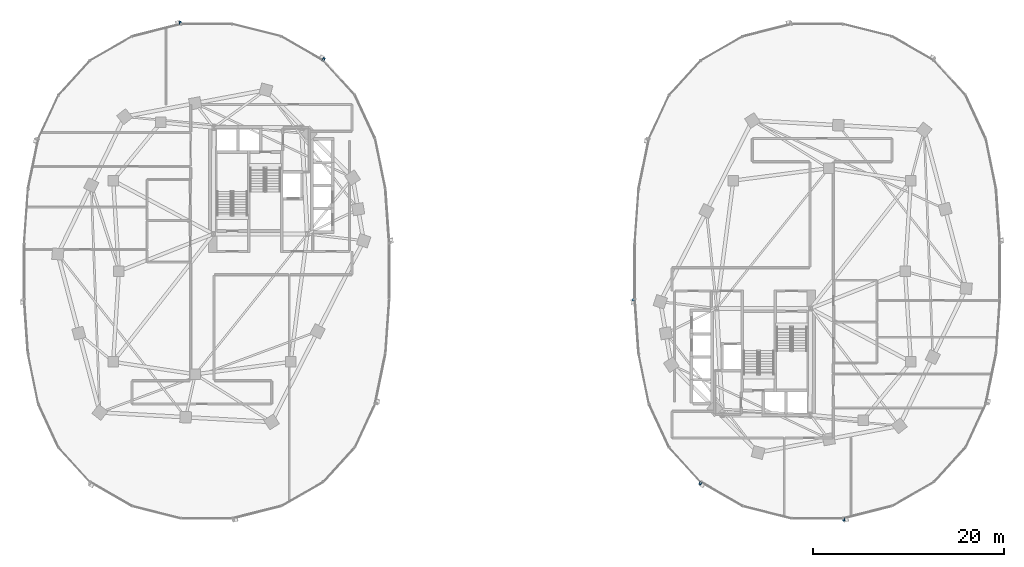
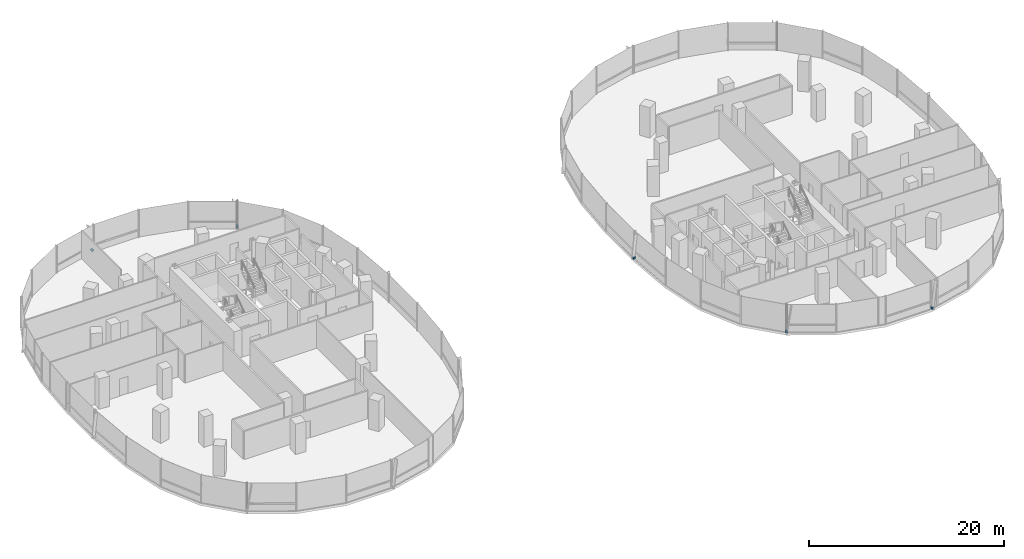
# One storey, part 15 of 21: 5 discrete accessories.
"""IFC4 building model written with IfcOpenShell, lengths in metres."""

from ifc_helpers import new_model, si_unit, direction, frame, origin, origin_2d, place, context, subcontext, project, spatial, rectangle, extrude, material, type_object, element, save


model = new_model("IFC4")

# Units and contexts
model_context = context("Model", 3, precision=1e-05, world=origin(), true_north=direction((0.0, 1.0)))
body_context = subcontext(model_context, "Body", "Model", "MODEL_VIEW")
ifc_project = project(units=[si_unit("LENGTHUNIT", "METRE"), si_unit("AREAUNIT", "SQUARE_METRE"), si_unit("VOLUMEUNIT", "CUBIC_METRE"), si_unit("PLANEANGLEUNIT", "RADIAN"), si_unit("MASSUNIT", "GRAM", prefix="KILO"), si_unit("THERMODYNAMICTEMPERATUREUNIT", "KELVIN"), si_unit("POWERUNIT", "WATT")], contexts=[model_context])

# Site, building, storey
site_placement = place(None, origin())
site = spatial("IfcSite", under=ifc_project, at=site_placement, CompositionType="ELEMENT")
building_placement = place(site_placement, origin())
building = spatial("IfcBuilding", under=site, at=building_placement, Name="Cundina Bronze Exchange", CompositionType="ELEMENT")
storey_placement = place(building_placement, frame((0.0, 0.0, 31.60009765625)))
storey = spatial("IfcBuildingStorey", under=building, at=storey_placement, Name="L07", CompositionType="ELEMENT", Elevation=31.60009765625)

# Discrete accessories
ifc_material = material(Name="Anodised Bronze Aluminium 6063-T6", Category="aluminium")
discrete_accessory_type = type_object("IfcDiscreteAccessoryType", Name="ACC-BRK-FIN", PredefinedType="BRACKET", material=ifc_material)
for number, where, z_axis, x_axis, name in (
    (1, (-19.740478515625, 22.21875, 0.10009765625), (0.0, 0.0, 1.0), (-0.867105478933, 0.498124571171, 0.0), "L07 Fin Support Bracket 5"),
    (2, (-34.76025390625, 26.03173828125, 0.10009765625), (0.0, 0.0, 1.0), (-0.969488149345, -0.245138182011, 0.0), "L07 Fin Support Bracket 1"),
    (3, (12.735595703125, -2.986083984375, 0.10009765625), (0.0, 0.0, 1.0), (0.070278787473, -0.997527389113, 0.0), "L07 Fin Support Bracket 1"),
    (4, (19.740478515625, -22.21875, 0.10009765625), (0.0, 0.0, 1.0), (0.867105478933, -0.498124571171, 0.0), "L07 Fin Support Bracket 5"),
    (5, (34.76025390625, -26.03173828125, 0.10009765625), (0.0, 0.0, 1.0), (0.969488149345, 0.245138182011, 0.0), "L07 Fin Support Bracket 1"),
):
    element("IfcDiscreteAccessory", number, at=place(storey_placement, frame(where, z_axis=z_axis, x_axis=x_axis)), inside=storey, type_object=discrete_accessory_type, Name=name, PredefinedType="BRACKET", context=body_context, shape_type="SweptSolid", body=[
        extrude(rectangle(XDim=0.219970703125, YDim=0.320068359375, at=origin_2d()), origin(), (0.0, 0.0, 1.0), 0.239990234375),
    ])

save(model, "model.ifc")
